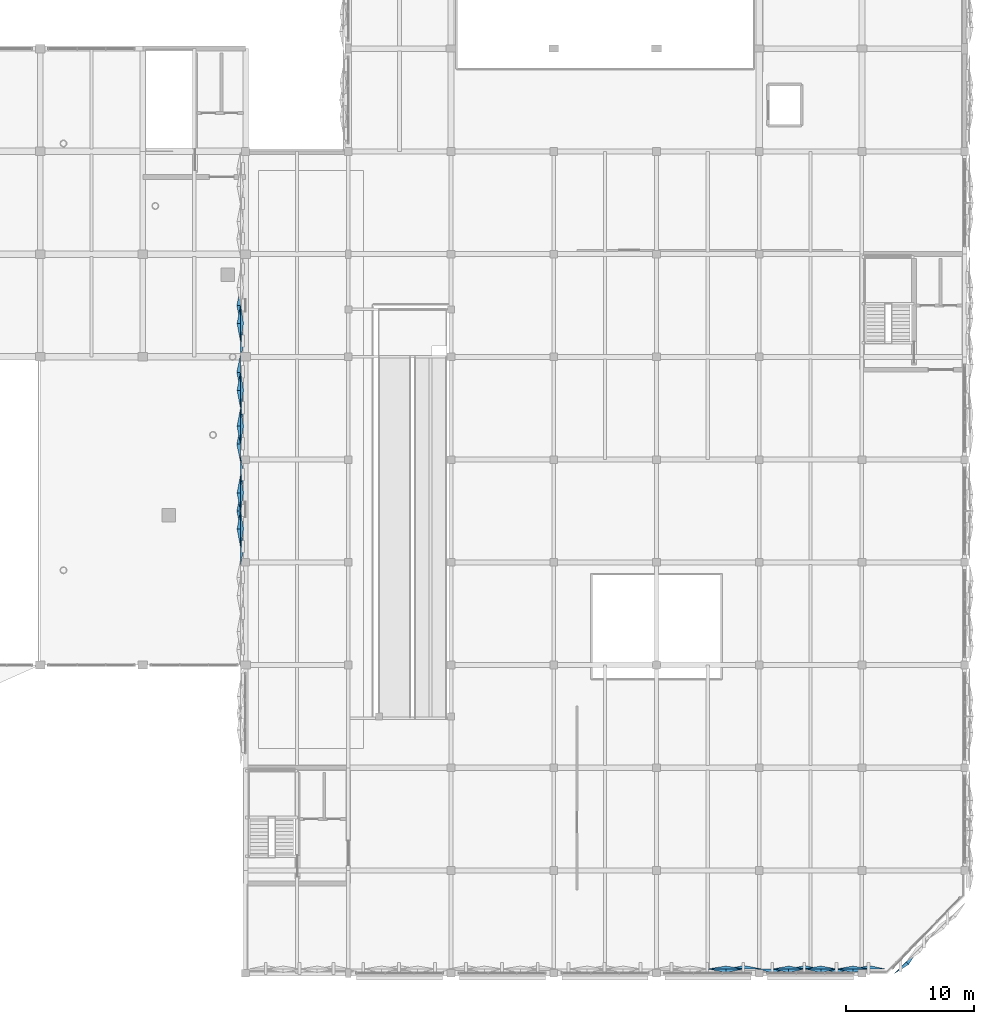
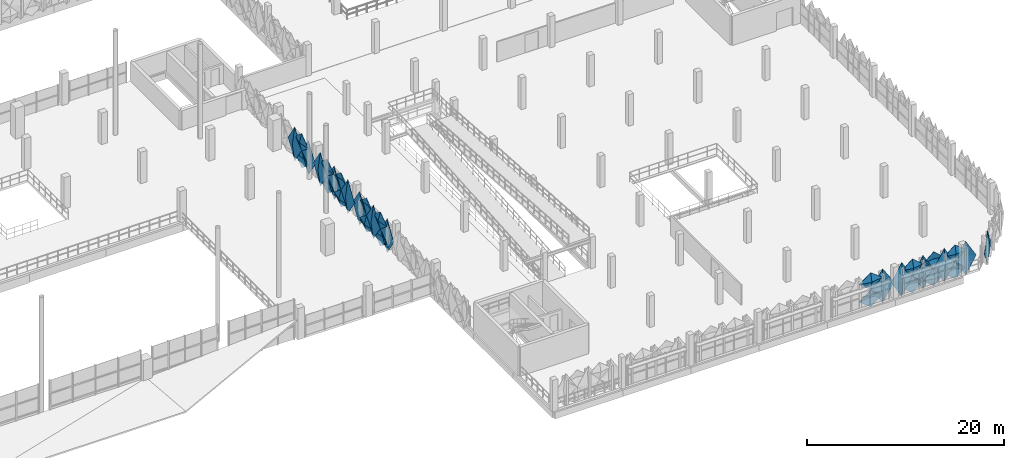
# One storey, part 95 of 123: 32 plates.
"""IFC4 building model written with IfcOpenShell, lengths in metres."""

from ifc_helpers import new_model, si_unit, derived_unit, direction, frame, origin, place, context, subcontext, project, spatial, polygons, material, layer, layer_set, type_object, element, save


model = new_model("IFC4")

# Units and contexts
model_context = context("Model", 3, precision=1e-05, world=origin(), true_north=direction((0.0, 1.0)))
body_context = subcontext(model_context, "Body", "Model", "MODEL_VIEW")
ifc_project = project(units=[si_unit("LENGTHUNIT", "METRE"), si_unit("AREAUNIT", "SQUARE_METRE"), si_unit("VOLUMEUNIT", "CUBIC_METRE"), si_unit("PLANEANGLEUNIT", "RADIAN"), si_unit("MASSUNIT", "GRAM", prefix="KILO"), si_unit("THERMODYNAMICTEMPERATUREUNIT", "KELVIN"), derived_unit("THERMALTRANSMITTANCEUNIT", [(si_unit("POWERUNIT", "WATT"), 1), (si_unit("AREAUNIT", "SQUARE_METRE"), -1), (si_unit("THERMODYNAMICTEMPERATUREUNIT", "KELVIN"), -1)])], contexts=[model_context])

# Site, building, storey
site_placement = place(None, origin())
site = spatial("IfcSite", under=ifc_project, at=site_placement, CompositionType="ELEMENT")
building_placement = place(site_placement, origin())
building = spatial("IfcBuilding", under=site, at=building_placement, Name="Haiyu Intermodal Mobility Hub", CompositionType="ELEMENT")
storey_placement = place(building_placement, frame((0.0, 0.0, 5.60009765625)))
storey = spatial("IfcBuildingStorey", under=building, at=storey_placement, Name="L01", CompositionType="ELEMENT", Elevation=5.60009765625)

# Plates
ifc_material = material(Name="Anodised aluminium 6063-T6", Category="aluminium")
ifc_layer_1 = layer(ifc_material, 0.02001953125)
ifc_layer_set_1 = layer_set([ifc_layer_1], Name="Anodised aluminium 6063-T6")
plate_type_1 = type_object("IfcPlateType", Name="PLT-FC02", PredefinedType="USERDEFINED", material=ifc_layer_set_1)
plate_1_placement = place(storey_placement, origin())
element("IfcPlate", 1, at=plate_1_placement, inside=storey, type_object=plate_type_1, Name="PLT-PYR-1523", ObjectType="FACADE CASSETTE", PredefinedType="USERDEFINED", context=body_context, shape_type="Tessellation", body=[
    polygons([(202.550048828125, 16.320068359375, -0.510009765625), (203.780029296875, 16.320068359375, 1.599853515625), (202.550048828125, 16.320068359375, 3.7099609375), (201.320068359375, 16.320068359375, 1.599853515625), (202.550048828125, 16.580078125, 1.599853515625), (202.550048828125, 16.342041015625, -0.510009765625), (203.780029296875, 16.342041015625, 1.599853515625), (202.550048828125, 16.342041015625, 3.7099609375), (201.320068359375, 16.342041015625, 1.599853515625), (202.550048828125, 16.60205078125, 1.599853515625)], [[[1, 2, 5]], [[2, 3, 5]], [[3, 4, 5]], [[4, 1, 5]], [[7, 6, 10]], [[8, 7, 10]], [[9, 8, 10]], [[6, 9, 10]], [[1, 6, 7, 2]], [[2, 7, 8, 3]], [[3, 8, 9, 4]], [[4, 9, 6, 1]]], closed=True),
])
ifc_layer_2 = layer(ifc_material, 0.01806640625)
ifc_layer_set_2 = layer_set([ifc_layer_2], Name="Anodised aluminium 6063-T6")
plate_type_2 = type_object("IfcPlateType", Name="PLT-FC03", PredefinedType="USERDEFINED", material=ifc_layer_set_2)
plate_2_placement = place(storey_placement, origin())
element("IfcPlate", 2, at=plate_2_placement, inside=storey, type_object=plate_type_2, Name="PLT-PYR-1458", ObjectType="FACADE CASSETTE", PredefinedType="USERDEFINED", context=body_context, shape_type="Tessellation", body=[
    polygons([(205.449951171875, 16.884033203125, -0.510009765625), (206.35205078125, 17.785888671875, 1.599853515625), (205.449951171875, 16.884033203125, 3.7099609375), (204.547119140625, 15.98095703125, 1.599853515625), (205.64697265625, 16.68603515625, 1.599853515625), (205.43408203125, 16.89892578125, -0.510009765625), (206.3359375, 17.802001953125, 1.599853515625), (205.43408203125, 16.89892578125, 3.7099609375), (204.531005859375, 15.9970703125, 1.599853515625), (205.632080078125, 16.700927734375, 1.599853515625)], [[[1, 2, 5]], [[2, 3, 5]], [[3, 4, 5]], [[4, 1, 5]], [[7, 6, 10]], [[8, 7, 10]], [[9, 8, 10]], [[6, 9, 10]], [[1, 6, 7, 2]], [[2, 7, 8, 3]], [[3, 8, 9, 4]], [[4, 9, 6, 1]]], closed=True),
])
plate_3_placement = place(storey_placement, origin())
element("IfcPlate", 3, at=plate_3_placement, inside=storey, type_object=plate_type_2, Name="PLT-PYR-1514", ObjectType="FACADE CASSETTE", PredefinedType="USERDEFINED", context=body_context, shape_type="Tessellation", body=[
    polygons([(195.050048828125, 16.320068359375, -0.510009765625), (196.280029296875, 16.320068359375, 1.599853515625), (195.050048828125, 16.320068359375, 3.7099609375), (193.820068359375, 16.320068359375, 1.599853515625), (195.050048828125, 16.0400390625, 1.599853515625), (195.050048828125, 16.342041015625, -0.510009765625), (196.280029296875, 16.342041015625, 1.599853515625), (195.050048828125, 16.342041015625, 3.7099609375), (193.820068359375, 16.342041015625, 1.599853515625), (195.050048828125, 16.06201171875, 1.599853515625)], [[[1, 2, 5]], [[2, 3, 5]], [[3, 4, 5]], [[4, 1, 5]], [[7, 6, 10]], [[8, 7, 10]], [[9, 8, 10]], [[6, 9, 10]], [[1, 6, 7, 2]], [[2, 7, 8, 3]], [[3, 8, 9, 4]], [[4, 9, 6, 1]]], closed=True),
])
plate_4_placement = place(storey_placement, origin())
element("IfcPlate", 4, at=plate_4_placement, inside=storey, type_object=plate_type_2, Name="PLT-PYR-1518", ObjectType="FACADE CASSETTE", PredefinedType="USERDEFINED", context=body_context, shape_type="Tessellation", body=[
    polygons([(198.800048828125, 16.320068359375, -0.52001953125), (200.030029296875, 16.320068359375, 0.52978515625), (198.800048828125, 16.320068359375, 1.579833984375), (197.570068359375, 16.320068359375, 0.52978515625), (198.800048828125, 16.06005859375, 0.52978515625), (198.800048828125, 16.342041015625, -0.52001953125), (200.030029296875, 16.342041015625, 0.52978515625), (198.800048828125, 16.342041015625, 1.579833984375), (197.570068359375, 16.342041015625, 0.52978515625), (198.800048828125, 16.08203125, 0.52978515625)], [[[1, 2, 5]], [[2, 3, 5]], [[3, 4, 5]], [[4, 1, 5]], [[7, 6, 10]], [[8, 7, 10]], [[9, 8, 10]], [[6, 9, 10]], [[1, 6, 7, 2]], [[2, 7, 8, 3]], [[3, 8, 9, 4]], [[4, 9, 6, 1]]], closed=True),
])
plate_5_placement = place(storey_placement, origin())
element("IfcPlate", 5, at=plate_5_placement, inside=storey, type_object=plate_type_2, Name="PLT-PYR-1581", ObjectType="FACADE CASSETTE", PredefinedType="USERDEFINED", context=body_context, shape_type="Tessellation", body=[
    polygons([(153.60009765625, 53.39990234375, -0.52001953125), (153.60009765625, 52.02001953125, 0.52978515625), (153.60009765625, 53.39990234375, 1.579833984375), (153.60009765625, 54.780029296875, 0.52978515625), (153.340087890625, 53.39990234375, 0.52978515625), (153.6220703125, 53.39990234375, -0.52001953125), (153.6220703125, 52.02001953125, 0.52978515625), (153.6220703125, 53.39990234375, 1.579833984375), (153.6220703125, 54.780029296875, 0.52978515625), (153.362060546875, 53.39990234375, 0.52978515625)], [[[1, 2, 5]], [[2, 3, 5]], [[3, 4, 5]], [[4, 1, 5]], [[7, 6, 10]], [[8, 7, 10]], [[9, 8, 10]], [[6, 9, 10]], [[1, 6, 7, 2]], [[2, 7, 8, 3]], [[3, 8, 9, 4]], [[4, 9, 6, 1]]], closed=True),
])
plate_6_placement = place(storey_placement, origin())
element("IfcPlate", 6, at=plate_6_placement, inside=storey, type_object=plate_type_2, Name="PLT-PYR-1587", ObjectType="FACADE CASSETTE", PredefinedType="USERDEFINED", context=body_context, shape_type="Tessellation", body=[
    polygons([(153.60009765625, 62.800048828125, -0.510009765625), (153.60009765625, 61.419921875, 1.599853515625), (153.60009765625, 62.800048828125, 3.7099609375), (153.60009765625, 64.179931640625, 1.599853515625), (153.320068359375, 62.800048828125, 1.599853515625), (153.6220703125, 62.800048828125, -0.510009765625), (153.6220703125, 61.419921875, 1.599853515625), (153.6220703125, 62.800048828125, 3.7099609375), (153.6220703125, 64.179931640625, 1.599853515625), (153.342041015625, 62.800048828125, 1.599853515625)], [[[1, 2, 5]], [[2, 3, 5]], [[3, 4, 5]], [[4, 1, 5]], [[7, 6, 10]], [[8, 7, 10]], [[9, 8, 10]], [[6, 9, 10]], [[1, 6, 7, 2]], [[2, 7, 8, 3]], [[3, 8, 9, 4]], [[4, 9, 6, 1]]], closed=True),
])
plate_7_placement = place(storey_placement, origin())
element("IfcPlate", 7, at=plate_7_placement, inside=storey, type_object=plate_type_2, Name="PLT-PYR-1591", ObjectType="FACADE CASSETTE", PredefinedType="USERDEFINED", context=body_context, shape_type="Tessellation", body=[
    polygons([(153.60009765625, 58.60009765625, -0.52001953125), (153.60009765625, 57.219970703125, 0.52978515625), (153.60009765625, 58.60009765625, 1.579833984375), (153.60009765625, 59.97998046875, 0.52978515625), (153.340087890625, 58.60009765625, 0.52978515625), (153.6220703125, 58.60009765625, -0.52001953125), (153.6220703125, 57.219970703125, 0.52978515625), (153.6220703125, 58.60009765625, 1.579833984375), (153.6220703125, 59.97998046875, 0.52978515625), (153.362060546875, 58.60009765625, 0.52978515625)], [[[1, 2, 5]], [[2, 3, 5]], [[3, 4, 5]], [[4, 1, 5]], [[7, 6, 10]], [[8, 7, 10]], [[9, 8, 10]], [[6, 9, 10]], [[1, 6, 7, 2]], [[2, 7, 8, 3]], [[3, 8, 9, 4]], [[4, 9, 6, 1]]], closed=True),
])
ifc_layer_3 = layer(ifc_material, 0.02001953125)
ifc_layer_set_3 = layer_set([ifc_layer_3], Name="Anodised aluminium 6063-T6")
plate_type_3 = type_object("IfcPlateType", Name="PLT-FC04", PredefinedType="USERDEFINED", material=ifc_layer_set_3)
plate_8_placement = place(storey_placement, origin())
element("IfcPlate", 8, at=plate_8_placement, inside=storey, type_object=plate_type_3, Name="PLT-PYR-1511", ObjectType="FACADE CASSETTE", PredefinedType="USERDEFINED", context=body_context, shape_type="Tessellation", body=[
    polygons([(191.39990234375, 16.320068359375, -0.52001953125), (192.780029296875, 16.320068359375, 0.52978515625), (191.39990234375, 16.320068359375, 1.579833984375), (190.02001953125, 16.320068359375, 0.52978515625), (191.39990234375, 16.5400390625, 0.52978515625), (191.39990234375, 16.342041015625, -0.52001953125), (192.780029296875, 16.342041015625, 0.52978515625), (191.39990234375, 16.342041015625, 1.579833984375), (190.02001953125, 16.342041015625, 0.52978515625), (191.39990234375, 16.56201171875, 0.52978515625)], [[[1, 2, 5]], [[2, 3, 5]], [[3, 4, 5]], [[4, 1, 5]], [[7, 6, 10]], [[8, 7, 10]], [[9, 8, 10]], [[6, 9, 10]], [[1, 6, 7, 2]], [[2, 7, 8, 3]], [[3, 8, 9, 4]], [[4, 9, 6, 1]]], closed=True),
])
plate_9_placement = place(storey_placement, origin())
element("IfcPlate", 9, at=plate_9_placement, inside=storey, type_object=plate_type_3, Name="PLT-PYR-1515", ObjectType="FACADE CASSETTE", PredefinedType="USERDEFINED", context=body_context, shape_type="Tessellation", body=[
    polygons([(196.300048828125, 16.320068359375, -0.52001953125), (197.530029296875, 16.320068359375, 0.52978515625), (196.300048828125, 16.320068359375, 1.579833984375), (195.070068359375, 16.320068359375, 0.52978515625), (196.300048828125, 16.5400390625, 0.52978515625), (196.300048828125, 16.342041015625, -0.52001953125), (197.530029296875, 16.342041015625, 0.52978515625), (196.300048828125, 16.342041015625, 1.579833984375), (195.070068359375, 16.342041015625, 0.52978515625), (196.300048828125, 16.56201171875, 0.52978515625)], [[[1, 2, 5]], [[2, 3, 5]], [[3, 4, 5]], [[4, 1, 5]], [[7, 6, 10]], [[8, 7, 10]], [[9, 8, 10]], [[6, 9, 10]], [[1, 6, 7, 2]], [[2, 7, 8, 3]], [[3, 8, 9, 4]], [[4, 9, 6, 1]]], closed=True),
])
plate_10_placement = place(storey_placement, origin())
element("IfcPlate", 10, at=plate_10_placement, inside=storey, type_object=plate_type_3, Name="PLT-PYR-1521", ObjectType="FACADE CASSETTE", PredefinedType="USERDEFINED", context=body_context, shape_type="Tessellation", body=[
    polygons([(201.300048828125, 16.320068359375, -0.52001953125), (202.530029296875, 16.320068359375, 0.52978515625), (201.300048828125, 16.320068359375, 1.579833984375), (200.070068359375, 16.320068359375, 0.52978515625), (201.300048828125, 16.5400390625, 0.52978515625), (201.300048828125, 16.342041015625, -0.52001953125), (202.530029296875, 16.342041015625, 0.52978515625), (201.300048828125, 16.342041015625, 1.579833984375), (200.070068359375, 16.342041015625, 0.52978515625), (201.300048828125, 16.56201171875, 0.52978515625)], [[[1, 2, 5]], [[2, 3, 5]], [[3, 4, 5]], [[4, 1, 5]], [[7, 6, 10]], [[8, 7, 10]], [[9, 8, 10]], [[6, 9, 10]], [[1, 6, 7, 2]], [[2, 7, 8, 3]], [[3, 8, 9, 4]], [[4, 9, 6, 1]]], closed=True),
])
plate_11_placement = place(storey_placement, origin())
element("IfcPlate", 11, at=plate_11_placement, inside=storey, type_object=plate_type_3, Name="PLT-PYR-1580", ObjectType="FACADE CASSETTE", PredefinedType="USERDEFINED", context=body_context, shape_type="Tessellation", body=[
    polygons([(153.60009765625, 54.800048828125, -0.510009765625), (153.60009765625, 53.419921875, 1.599853515625), (153.60009765625, 54.800048828125, 3.7099609375), (153.60009765625, 56.179931640625, 1.599853515625), (153.860107421875, 54.800048828125, 1.599853515625), (153.6220703125, 54.800048828125, -0.510009765625), (153.6220703125, 53.419921875, 1.599853515625), (153.6220703125, 54.800048828125, 3.7099609375), (153.6220703125, 56.179931640625, 1.599853515625), (153.882080078125, 54.800048828125, 1.599853515625)], [[[1, 2, 5]], [[2, 3, 5]], [[3, 4, 5]], [[4, 1, 5]], [[7, 6, 10]], [[8, 7, 10]], [[9, 8, 10]], [[6, 9, 10]], [[1, 6, 7, 2]], [[2, 7, 8, 3]], [[3, 8, 9, 4]], [[4, 9, 6, 1]]], closed=True),
])
plate_12_placement = place(storey_placement, origin())
element("IfcPlate", 12, at=plate_12_placement, inside=storey, type_object=plate_type_3, Name="PLT-PYR-1584", ObjectType="FACADE CASSETTE", PredefinedType="USERDEFINED", context=body_context, shape_type="Tessellation", body=[
    polygons([(153.60009765625, 50.60009765625, -0.52001953125), (153.60009765625, 49.219970703125, 0.52978515625), (153.60009765625, 50.60009765625, 1.579833984375), (153.60009765625, 51.97998046875, 0.52978515625), (153.820068359375, 50.60009765625, 0.52978515625), (153.6220703125, 50.60009765625, -0.52001953125), (153.6220703125, 49.219970703125, 0.52978515625), (153.6220703125, 50.60009765625, 1.579833984375), (153.6220703125, 51.97998046875, 0.52978515625), (153.842041015625, 50.60009765625, 0.52978515625)], [[[1, 2, 5]], [[2, 3, 5]], [[3, 4, 5]], [[4, 1, 5]], [[7, 6, 10]], [[8, 7, 10]], [[9, 8, 10]], [[6, 9, 10]], [[1, 6, 7, 2]], [[2, 7, 8, 3]], [[3, 8, 9, 4]], [[4, 9, 6, 1]]], closed=True),
])
plate_13_placement = place(storey_placement, origin())
element("IfcPlate", 13, at=plate_13_placement, inside=storey, type_object=plate_type_3, Name="PLT-PYR-1588", ObjectType="FACADE CASSETTE", PredefinedType="USERDEFINED", context=body_context, shape_type="Tessellation", body=[
    polygons([(153.60009765625, 61.39990234375, -0.52001953125), (153.60009765625, 60.02001953125, 0.52978515625), (153.60009765625, 61.39990234375, 1.579833984375), (153.60009765625, 62.780029296875, 0.52978515625), (153.820068359375, 61.39990234375, 0.52978515625), (153.6220703125, 61.39990234375, -0.52001953125), (153.6220703125, 60.02001953125, 0.52978515625), (153.6220703125, 61.39990234375, 1.579833984375), (153.6220703125, 62.780029296875, 0.52978515625), (153.842041015625, 61.39990234375, 0.52978515625)], [[[1, 2, 5]], [[2, 3, 5]], [[3, 4, 5]], [[4, 1, 5]], [[7, 6, 10]], [[8, 7, 10]], [[9, 8, 10]], [[6, 9, 10]], [[1, 6, 7, 2]], [[2, 7, 8, 3]], [[3, 8, 9, 4]], [[4, 9, 6, 1]]], closed=True),
])
plate_14_placement = place(storey_placement, origin())
element("IfcPlate", 14, at=plate_14_placement, inside=storey, type_object=plate_type_3, Name="PLT-PYR-1598", ObjectType="FACADE CASSETTE", PredefinedType="USERDEFINED", context=body_context, shape_type="Tessellation", body=[
    polygons([(153.60009765625, 66.60009765625, -0.52001953125), (153.60009765625, 65.219970703125, 0.52978515625), (153.60009765625, 66.60009765625, 1.579833984375), (153.60009765625, 67.97998046875, 0.52978515625), (153.820068359375, 66.60009765625, 0.52978515625), (153.6220703125, 66.60009765625, -0.52001953125), (153.6220703125, 65.219970703125, 0.52978515625), (153.6220703125, 66.60009765625, 1.579833984375), (153.6220703125, 67.97998046875, 0.52978515625), (153.842041015625, 66.60009765625, 0.52978515625)], [[[1, 2, 5]], [[2, 3, 5]], [[3, 4, 5]], [[4, 1, 5]], [[7, 6, 10]], [[8, 7, 10]], [[9, 8, 10]], [[6, 9, 10]], [[1, 6, 7, 2]], [[2, 7, 8, 3]], [[3, 8, 9, 4]], [[4, 9, 6, 1]]], closed=True),
])
ifc_layer_4 = layer(ifc_material, 0.01806640625)
ifc_layer_set_4 = layer_set([ifc_layer_4], Name="Anodised aluminium 6063-T6")
plate_type_4 = type_object("IfcPlateType", Name="PLT-FC05", PredefinedType="USERDEFINED", material=ifc_layer_set_4)
plate_15_placement = place(storey_placement, origin())
element("IfcPlate", 15, at=plate_15_placement, inside=storey, type_object=plate_type_4, Name="PLT-PYR-1512", ObjectType="FACADE CASSETTE", PredefinedType="USERDEFINED", context=body_context, shape_type="Tessellation", body=[
    polygons([(191.39990234375, 16.320068359375, 1.619873046875), (192.780029296875, 16.320068359375, 2.669921875), (191.39990234375, 16.320068359375, 3.719970703125), (190.02001953125, 16.320068359375, 2.669921875), (191.39990234375, 16.06005859375, 2.669921875), (191.39990234375, 16.342041015625, 1.619873046875), (192.780029296875, 16.342041015625, 2.669921875), (191.39990234375, 16.342041015625, 3.719970703125), (190.02001953125, 16.342041015625, 2.669921875), (191.39990234375, 16.08203125, 2.669921875)], [[[1, 2, 5]], [[2, 3, 5]], [[3, 4, 5]], [[4, 1, 5]], [[7, 6, 10]], [[8, 7, 10]], [[9, 8, 10]], [[6, 9, 10]], [[1, 6, 7, 2]], [[2, 7, 8, 3]], [[3, 8, 9, 4]], [[4, 9, 6, 1]]], closed=True),
])
plate_16_placement = place(storey_placement, origin())
element("IfcPlate", 16, at=plate_16_placement, inside=storey, type_object=plate_type_4, Name="PLT-PYR-1516", ObjectType="FACADE CASSETTE", PredefinedType="USERDEFINED", context=body_context, shape_type="Tessellation", body=[
    polygons([(196.300048828125, 16.320068359375, 1.619873046875), (197.530029296875, 16.320068359375, 2.669921875), (196.300048828125, 16.320068359375, 3.719970703125), (195.070068359375, 16.320068359375, 2.669921875), (196.300048828125, 16.06005859375, 2.669921875), (196.300048828125, 16.342041015625, 1.619873046875), (197.530029296875, 16.342041015625, 2.669921875), (196.300048828125, 16.342041015625, 3.719970703125), (195.070068359375, 16.342041015625, 2.669921875), (196.300048828125, 16.08203125, 2.669921875)], [[[1, 2, 5]], [[2, 3, 5]], [[3, 4, 5]], [[4, 1, 5]], [[7, 6, 10]], [[8, 7, 10]], [[9, 8, 10]], [[6, 9, 10]], [[1, 6, 7, 2]], [[2, 7, 8, 3]], [[3, 8, 9, 4]], [[4, 9, 6, 1]]], closed=True),
])
plate_17_placement = place(storey_placement, origin())
element("IfcPlate", 17, at=plate_17_placement, inside=storey, type_object=plate_type_4, Name="PLT-PYR-1522", ObjectType="FACADE CASSETTE", PredefinedType="USERDEFINED", context=body_context, shape_type="Tessellation", body=[
    polygons([(201.300048828125, 16.320068359375, 1.619873046875), (202.530029296875, 16.320068359375, 2.669921875), (201.300048828125, 16.320068359375, 3.719970703125), (200.070068359375, 16.320068359375, 2.669921875), (201.300048828125, 16.06005859375, 2.669921875), (201.300048828125, 16.342041015625, 1.619873046875), (202.530029296875, 16.342041015625, 2.669921875), (201.300048828125, 16.342041015625, 3.719970703125), (200.070068359375, 16.342041015625, 2.669921875), (201.300048828125, 16.08203125, 2.669921875)], [[[1, 2, 5]], [[2, 3, 5]], [[3, 4, 5]], [[4, 1, 5]], [[7, 6, 10]], [[8, 7, 10]], [[9, 8, 10]], [[6, 9, 10]], [[1, 6, 7, 2]], [[2, 7, 8, 3]], [[3, 8, 9, 4]], [[4, 9, 6, 1]]], closed=True),
])
plate_18_placement = place(storey_placement, origin())
element("IfcPlate", 18, at=plate_18_placement, inside=storey, type_object=plate_type_4, Name="PLT-PYR-1583", ObjectType="FACADE CASSETTE", PredefinedType="USERDEFINED", context=body_context, shape_type="Tessellation", body=[
    polygons([(153.60009765625, 52.0, -0.510009765625), (153.60009765625, 50.6201171875, 1.599853515625), (153.60009765625, 52.0, 3.7099609375), (153.60009765625, 53.3798828125, 1.599853515625), (153.320068359375, 52.0, 1.599853515625), (153.6220703125, 52.0, -0.510009765625), (153.6220703125, 50.6201171875, 1.599853515625), (153.6220703125, 52.0, 3.7099609375), (153.6220703125, 53.3798828125, 1.599853515625), (153.342041015625, 52.0, 1.599853515625)], [[[1, 2, 5]], [[2, 3, 5]], [[3, 4, 5]], [[4, 1, 5]], [[7, 6, 10]], [[8, 7, 10]], [[9, 8, 10]], [[6, 9, 10]], [[1, 6, 7, 2]], [[2, 7, 8, 3]], [[3, 8, 9, 4]], [[4, 9, 6, 1]]], closed=True),
])
plate_19_placement = place(storey_placement, origin())
element("IfcPlate", 19, at=plate_19_placement, inside=storey, type_object=plate_type_4, Name="PLT-PYR-1585", ObjectType="FACADE CASSETTE", PredefinedType="USERDEFINED", context=body_context, shape_type="Tessellation", body=[
    polygons([(153.60009765625, 50.60009765625, 1.619873046875), (153.60009765625, 49.219970703125, 2.669921875), (153.60009765625, 50.60009765625, 3.719970703125), (153.60009765625, 51.97998046875, 2.669921875), (153.340087890625, 50.60009765625, 2.669921875), (153.6220703125, 50.60009765625, 1.619873046875), (153.6220703125, 49.219970703125, 2.669921875), (153.6220703125, 50.60009765625, 3.719970703125), (153.6220703125, 51.97998046875, 2.669921875), (153.362060546875, 50.60009765625, 2.669921875)], [[[1, 2, 5]], [[2, 3, 5]], [[3, 4, 5]], [[4, 1, 5]], [[7, 6, 10]], [[8, 7, 10]], [[9, 8, 10]], [[6, 9, 10]], [[1, 6, 7, 2]], [[2, 7, 8, 3]], [[3, 8, 9, 4]], [[4, 9, 6, 1]]], closed=True),
])
plate_20_placement = place(storey_placement, origin())
element("IfcPlate", 20, at=plate_20_placement, inside=storey, type_object=plate_type_4, Name="PLT-PYR-1589", ObjectType="FACADE CASSETTE", PredefinedType="USERDEFINED", context=body_context, shape_type="Tessellation", body=[
    polygons([(153.60009765625, 61.39990234375, 1.619873046875), (153.60009765625, 60.02001953125, 2.669921875), (153.60009765625, 61.39990234375, 3.719970703125), (153.60009765625, 62.780029296875, 2.669921875), (153.340087890625, 61.39990234375, 2.669921875), (153.6220703125, 61.39990234375, 1.619873046875), (153.6220703125, 60.02001953125, 2.669921875), (153.6220703125, 61.39990234375, 3.719970703125), (153.6220703125, 62.780029296875, 2.669921875), (153.362060546875, 61.39990234375, 2.669921875)], [[[1, 2, 5]], [[2, 3, 5]], [[3, 4, 5]], [[4, 1, 5]], [[7, 6, 10]], [[8, 7, 10]], [[9, 8, 10]], [[6, 9, 10]], [[1, 6, 7, 2]], [[2, 7, 8, 3]], [[3, 8, 9, 4]], [[4, 9, 6, 1]]], closed=True),
])
plate_21_placement = place(storey_placement, origin())
element("IfcPlate", 21, at=plate_21_placement, inside=storey, type_object=plate_type_4, Name="PLT-PYR-1597", ObjectType="FACADE CASSETTE", PredefinedType="USERDEFINED", context=body_context, shape_type="Tessellation", body=[
    polygons([(153.60009765625, 68.0, -0.510009765625), (153.60009765625, 66.6201171875, 1.599853515625), (153.60009765625, 68.0, 3.7099609375), (153.60009765625, 69.3798828125, 1.599853515625), (153.320068359375, 68.0, 1.599853515625), (153.6220703125, 68.0, -0.510009765625), (153.6220703125, 66.6201171875, 1.599853515625), (153.6220703125, 68.0, 3.7099609375), (153.6220703125, 69.3798828125, 1.599853515625), (153.342041015625, 68.0, 1.599853515625)], [[[1, 2, 5]], [[2, 3, 5]], [[3, 4, 5]], [[4, 1, 5]], [[7, 6, 10]], [[8, 7, 10]], [[9, 8, 10]], [[6, 9, 10]], [[1, 6, 7, 2]], [[2, 7, 8, 3]], [[3, 8, 9, 4]], [[4, 9, 6, 1]]], closed=True),
])
plate_22_placement = place(storey_placement, origin())
element("IfcPlate", 22, at=plate_22_placement, inside=storey, type_object=plate_type_4, Name="PLT-PYR-1599", ObjectType="FACADE CASSETTE", PredefinedType="USERDEFINED", context=body_context, shape_type="Tessellation", body=[
    polygons([(153.60009765625, 66.60009765625, 1.619873046875), (153.60009765625, 65.219970703125, 2.669921875), (153.60009765625, 66.60009765625, 3.719970703125), (153.60009765625, 67.97998046875, 2.669921875), (153.340087890625, 66.60009765625, 2.669921875), (153.6220703125, 66.60009765625, 1.619873046875), (153.6220703125, 65.219970703125, 2.669921875), (153.6220703125, 66.60009765625, 3.719970703125), (153.6220703125, 67.97998046875, 2.669921875), (153.362060546875, 66.60009765625, 2.669921875)], [[[1, 2, 5]], [[2, 3, 5]], [[3, 4, 5]], [[4, 1, 5]], [[7, 6, 10]], [[8, 7, 10]], [[9, 8, 10]], [[6, 9, 10]], [[1, 6, 7, 2]], [[2, 7, 8, 3]], [[3, 8, 9, 4]], [[4, 9, 6, 1]]], closed=True),
])
ifc_layer_5 = layer(ifc_material, 0.02001953125)
ifc_layer_set_5 = layer_set([ifc_layer_5], Name="Anodised aluminium 6063-T6")
plate_type_5 = type_object("IfcPlateType", Name="PLT-FC06", PredefinedType="USERDEFINED", material=ifc_layer_set_5)
plate_23_placement = place(storey_placement, origin())
element("IfcPlate", 23, at=plate_23_placement, inside=storey, type_object=plate_type_5, Name="PLT-PYR-1517", ObjectType="FACADE CASSETTE", PredefinedType="USERDEFINED", context=body_context, shape_type="Tessellation", body=[
    polygons([(197.550048828125, 16.320068359375, -0.510009765625), (198.780029296875, 16.320068359375, 1.599853515625), (197.550048828125, 16.320068359375, 3.7099609375), (196.320068359375, 16.320068359375, 1.599853515625), (197.550048828125, 16.580078125, 1.599853515625), (197.550048828125, 16.342041015625, -0.510009765625), (198.780029296875, 16.342041015625, 1.599853515625), (197.550048828125, 16.342041015625, 3.7099609375), (196.320068359375, 16.342041015625, 1.599853515625), (197.550048828125, 16.60205078125, 1.599853515625)], [[[1, 2, 5]], [[2, 3, 5]], [[3, 4, 5]], [[4, 1, 5]], [[7, 6, 10]], [[8, 7, 10]], [[9, 8, 10]], [[6, 9, 10]], [[1, 6, 7, 2]], [[2, 7, 8, 3]], [[3, 8, 9, 4]], [[4, 9, 6, 1]]], closed=True),
])
plate_24_placement = place(storey_placement, origin())
element("IfcPlate", 24, at=plate_24_placement, inside=storey, type_object=plate_type_5, Name="PLT-PYR-1519", ObjectType="FACADE CASSETTE", PredefinedType="USERDEFINED", context=body_context, shape_type="Tessellation", body=[
    polygons([(198.800048828125, 16.320068359375, 1.619873046875), (200.030029296875, 16.320068359375, 2.669921875), (198.800048828125, 16.320068359375, 3.719970703125), (197.570068359375, 16.320068359375, 2.669921875), (198.800048828125, 16.5400390625, 2.669921875), (198.800048828125, 16.342041015625, 1.619873046875), (200.030029296875, 16.342041015625, 2.669921875), (198.800048828125, 16.342041015625, 3.719970703125), (197.570068359375, 16.342041015625, 2.669921875), (198.800048828125, 16.56201171875, 2.669921875)], [[[1, 2, 5]], [[2, 3, 5]], [[3, 4, 5]], [[4, 1, 5]], [[7, 6, 10]], [[8, 7, 10]], [[9, 8, 10]], [[6, 9, 10]], [[1, 6, 7, 2]], [[2, 7, 8, 3]], [[3, 8, 9, 4]], [[4, 9, 6, 1]]], closed=True),
])
plate_25_placement = place(storey_placement, origin())
element("IfcPlate", 25, at=plate_25_placement, inside=storey, type_object=plate_type_5, Name="PLT-PYR-1582", ObjectType="FACADE CASSETTE", PredefinedType="USERDEFINED", context=body_context, shape_type="Tessellation", body=[
    polygons([(153.60009765625, 53.39990234375, 1.619873046875), (153.60009765625, 52.02001953125, 2.669921875), (153.60009765625, 53.39990234375, 3.719970703125), (153.60009765625, 54.780029296875, 2.669921875), (153.820068359375, 53.39990234375, 2.669921875), (153.6220703125, 53.39990234375, 1.619873046875), (153.6220703125, 52.02001953125, 2.669921875), (153.6220703125, 53.39990234375, 3.719970703125), (153.6220703125, 54.780029296875, 2.669921875), (153.842041015625, 53.39990234375, 2.669921875)], [[[1, 2, 5]], [[2, 3, 5]], [[3, 4, 5]], [[4, 1, 5]], [[7, 6, 10]], [[8, 7, 10]], [[9, 8, 10]], [[6, 9, 10]], [[1, 6, 7, 2]], [[2, 7, 8, 3]], [[3, 8, 9, 4]], [[4, 9, 6, 1]]], closed=True),
])
plate_26_placement = place(storey_placement, origin())
element("IfcPlate", 26, at=plate_26_placement, inside=storey, type_object=plate_type_5, Name="PLT-PYR-1590", ObjectType="FACADE CASSETTE", PredefinedType="USERDEFINED", context=body_context, shape_type="Tessellation", body=[
    polygons([(153.60009765625, 60.0, -0.510009765625), (153.60009765625, 58.6201171875, 1.599853515625), (153.60009765625, 60.0, 3.7099609375), (153.60009765625, 61.3798828125, 1.599853515625), (153.860107421875, 60.0, 1.599853515625), (153.6220703125, 60.0, -0.510009765625), (153.6220703125, 58.6201171875, 1.599853515625), (153.6220703125, 60.0, 3.7099609375), (153.6220703125, 61.3798828125, 1.599853515625), (153.882080078125, 60.0, 1.599853515625)], [[[1, 2, 5]], [[2, 3, 5]], [[3, 4, 5]], [[4, 1, 5]], [[7, 6, 10]], [[8, 7, 10]], [[9, 8, 10]], [[6, 9, 10]], [[1, 6, 7, 2]], [[2, 7, 8, 3]], [[3, 8, 9, 4]], [[4, 9, 6, 1]]], closed=True),
])
plate_27_placement = place(storey_placement, origin())
element("IfcPlate", 27, at=plate_27_placement, inside=storey, type_object=plate_type_5, Name="PLT-PYR-1592", ObjectType="FACADE CASSETTE", PredefinedType="USERDEFINED", context=body_context, shape_type="Tessellation", body=[
    polygons([(153.60009765625, 58.60009765625, 1.619873046875), (153.60009765625, 57.219970703125, 2.669921875), (153.60009765625, 58.60009765625, 3.719970703125), (153.60009765625, 59.97998046875, 2.669921875), (153.820068359375, 58.60009765625, 2.669921875), (153.6220703125, 58.60009765625, 1.619873046875), (153.6220703125, 57.219970703125, 2.669921875), (153.6220703125, 58.60009765625, 3.719970703125), (153.6220703125, 59.97998046875, 2.669921875), (153.842041015625, 58.60009765625, 2.669921875)], [[[1, 2, 5]], [[2, 3, 5]], [[3, 4, 5]], [[4, 1, 5]], [[7, 6, 10]], [[8, 7, 10]], [[9, 8, 10]], [[6, 9, 10]], [[1, 6, 7, 2]], [[2, 7, 8, 3]], [[3, 8, 9, 4]], [[4, 9, 6, 1]]], closed=True),
])
ifc_layer_6 = layer(ifc_material, 0.02197265625)
ifc_layer_set_6 = layer_set([ifc_layer_6], Name="Anodised aluminium 6063-T6")
plate_type_6 = type_object("IfcPlateType", Name="PLT-FC07", PredefinedType="USERDEFINED", material=ifc_layer_set_6)
plate_28_placement = place(storey_placement, origin())
element("IfcPlate", 28, at=plate_28_placement, inside=storey, type_object=plate_type_6, Name="PLT-PYR-1520", ObjectType="FACADE CASSETTE", PredefinedType="USERDEFINED", context=body_context, shape_type="Tessellation", body=[
    polygons([(200.050048828125, 16.320068359375, -0.510009765625), (201.280029296875, 16.320068359375, 1.599853515625), (200.050048828125, 16.320068359375, 3.7099609375), (198.820068359375, 16.320068359375, 1.599853515625), (200.050048828125, 16.0400390625, 1.599853515625), (200.050048828125, 16.342041015625, -0.510009765625), (201.280029296875, 16.342041015625, 1.599853515625), (200.050048828125, 16.342041015625, 3.7099609375), (198.820068359375, 16.342041015625, 1.599853515625), (200.050048828125, 16.06201171875, 1.599853515625)], [[[1, 2, 5]], [[2, 3, 5]], [[3, 4, 5]], [[4, 1, 5]], [[7, 6, 10]], [[8, 7, 10]], [[9, 8, 10]], [[6, 9, 10]], [[1, 6, 7, 2]], [[2, 7, 8, 3]], [[3, 8, 9, 4]], [[4, 9, 6, 1]]], closed=True),
])
plate_29_placement = place(storey_placement, origin())
element("IfcPlate", 29, at=plate_29_placement, inside=storey, type_object=plate_type_6, Name="PLT-PYR-1593", ObjectType="FACADE CASSETTE", PredefinedType="USERDEFINED", context=body_context, shape_type="Tessellation", body=[
    polygons([(153.60009765625, 57.199951171875, -0.510009765625), (153.60009765625, 55.820068359375, 1.599853515625), (153.60009765625, 57.199951171875, 3.7099609375), (153.60009765625, 58.580078125, 1.599853515625), (153.320068359375, 57.199951171875, 1.599853515625), (153.6220703125, 57.199951171875, -0.510009765625), (153.6220703125, 55.820068359375, 1.599853515625), (153.6220703125, 57.199951171875, 3.7099609375), (153.6220703125, 58.580078125, 1.599853515625), (153.342041015625, 57.199951171875, 1.599853515625)], [[[1, 2, 5]], [[2, 3, 5]], [[3, 4, 5]], [[4, 1, 5]], [[7, 6, 10]], [[8, 7, 10]], [[9, 8, 10]], [[6, 9, 10]], [[1, 6, 7, 2]], [[2, 7, 8, 3]], [[3, 8, 9, 4]], [[4, 9, 6, 1]]], closed=True),
])
ifc_layer_7 = layer(ifc_material, 0.02392578125)
ifc_layer_set_7 = layer_set([ifc_layer_7], Name="Anodised aluminium 6063-T6")
plate_type_7 = type_object("IfcPlateType", Name="PLT-FC08", PredefinedType="USERDEFINED", material=ifc_layer_set_7)
plate_30_placement = place(storey_placement, origin())
element("IfcPlate", 30, at=plate_30_placement, inside=storey, type_object=plate_type_7, Name="PLT-PYR-1513", ObjectType="FACADE CASSETTE", PredefinedType="USERDEFINED", context=body_context, shape_type="Tessellation", body=[
    polygons([(192.800048828125, 16.320068359375, -0.510009765625), (194.179931640625, 16.320068359375, 1.599853515625), (192.800048828125, 16.320068359375, 3.7099609375), (191.419921875, 16.320068359375, 1.599853515625), (192.800048828125, 16.580078125, 1.599853515625), (192.800048828125, 16.342041015625, -0.510009765625), (194.179931640625, 16.342041015625, 1.599853515625), (192.800048828125, 16.342041015625, 3.7099609375), (191.419921875, 16.342041015625, 1.599853515625), (192.800048828125, 16.60205078125, 1.599853515625)], [[[1, 2, 5]], [[2, 3, 5]], [[3, 4, 5]], [[4, 1, 5]], [[7, 6, 10]], [[8, 7, 10]], [[9, 8, 10]], [[6, 9, 10]], [[1, 6, 7, 2]], [[2, 7, 8, 3]], [[3, 8, 9, 4]], [[4, 9, 6, 1]]], closed=True),
])
plate_31_placement = place(storey_placement, origin())
element("IfcPlate", 31, at=plate_31_placement, inside=storey, type_object=plate_type_7, Name="PLT-PYR-1586", ObjectType="FACADE CASSETTE", PredefinedType="USERDEFINED", context=body_context, shape_type="Tessellation", body=[
    polygons([(153.60009765625, 49.199951171875, -0.510009765625), (153.60009765625, 47.820068359375, 1.599853515625), (153.60009765625, 49.199951171875, 3.7099609375), (153.60009765625, 50.580078125, 1.599853515625), (153.860107421875, 49.199951171875, 1.599853515625), (153.6220703125, 49.199951171875, -0.510009765625), (153.6220703125, 47.820068359375, 1.599853515625), (153.6220703125, 49.199951171875, 3.7099609375), (153.6220703125, 50.580078125, 1.599853515625), (153.882080078125, 49.199951171875, 1.599853515625)], [[[1, 2, 5]], [[2, 3, 5]], [[3, 4, 5]], [[4, 1, 5]], [[7, 6, 10]], [[8, 7, 10]], [[9, 8, 10]], [[6, 9, 10]], [[1, 6, 7, 2]], [[2, 7, 8, 3]], [[3, 8, 9, 4]], [[4, 9, 6, 1]]], closed=True),
])
plate_32_placement = place(storey_placement, origin())
element("IfcPlate", 32, at=plate_32_placement, inside=storey, type_object=plate_type_7, Name="PLT-PYR-1600", ObjectType="FACADE CASSETTE", PredefinedType="USERDEFINED", context=body_context, shape_type="Tessellation", body=[
    polygons([(153.60009765625, 65.199951171875, -0.510009765625), (153.60009765625, 63.820068359375, 1.599853515625), (153.60009765625, 65.199951171875, 3.7099609375), (153.60009765625, 66.580078125, 1.599853515625), (153.860107421875, 65.199951171875, 1.599853515625), (153.6220703125, 65.199951171875, -0.510009765625), (153.6220703125, 63.820068359375, 1.599853515625), (153.6220703125, 65.199951171875, 3.7099609375), (153.6220703125, 66.580078125, 1.599853515625), (153.882080078125, 65.199951171875, 1.599853515625)], [[[1, 2, 5]], [[2, 3, 5]], [[3, 4, 5]], [[4, 1, 5]], [[7, 6, 10]], [[8, 7, 10]], [[9, 8, 10]], [[6, 9, 10]], [[1, 6, 7, 2]], [[2, 7, 8, 3]], [[3, 8, 9, 4]], [[4, 9, 6, 1]]], closed=True),
])

save(model, "model.ifc")
